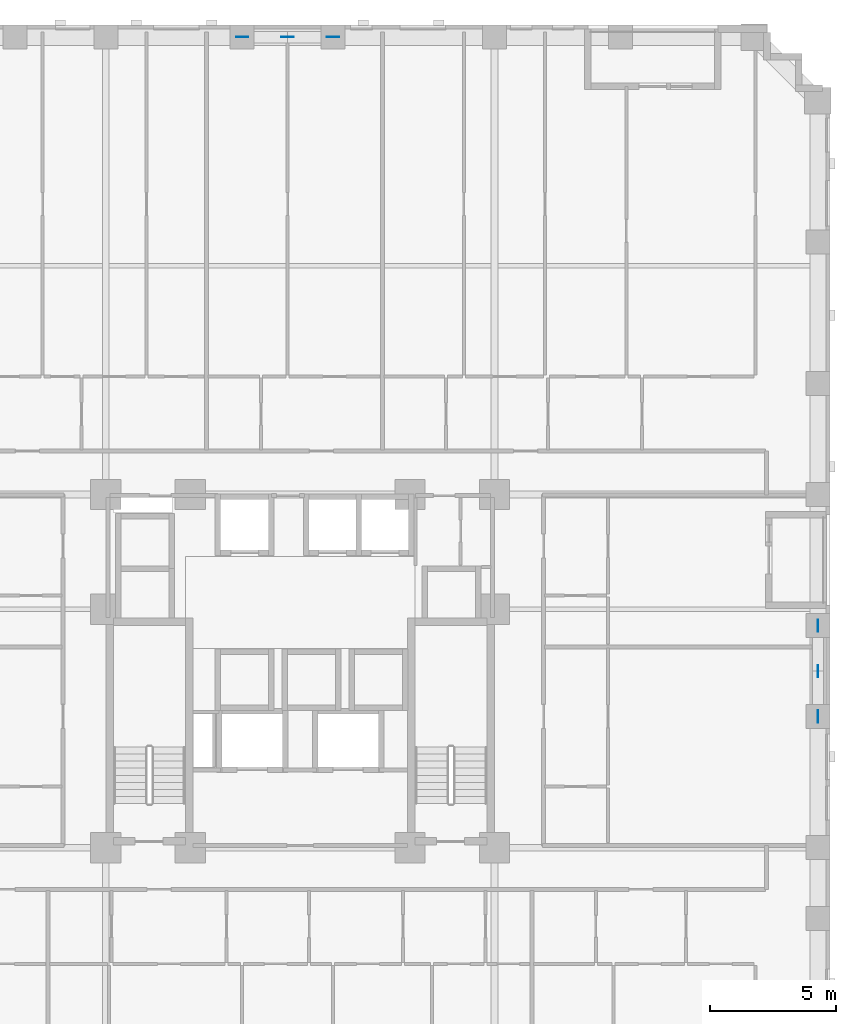
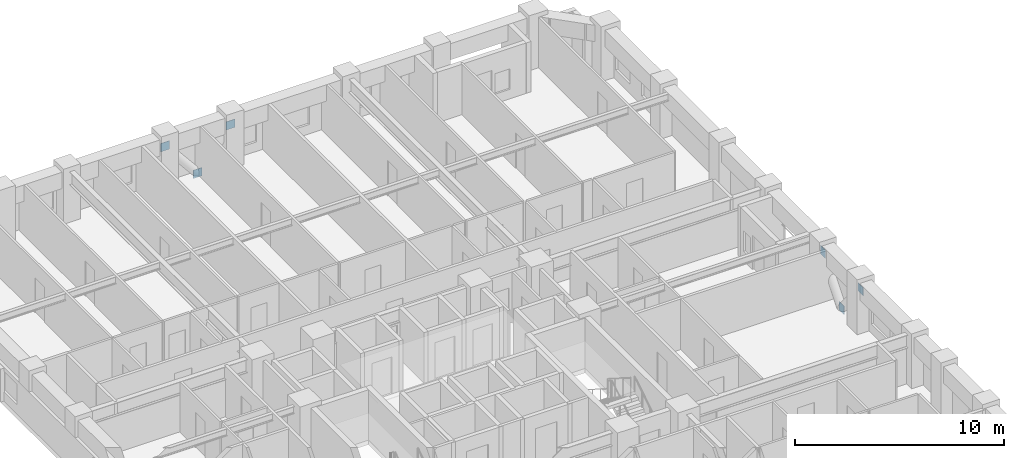
# One storey, part 10 of 13: 6 discrete accessories.
"""IFC4 building model written with IfcOpenShell, lengths in metres."""

from ifc_helpers import new_model, si_unit, derived_unit, direction, frame, origin, origin_2d, place, context, subcontext, project, spatial, rectangle, extrude, material, layer, layer_set, type_object, element, save


model = new_model("IFC4")

# Units and contexts
model_context = context("Model", 3, precision=1e-05, world=origin(), true_north=direction((0.0, 1.0)))
body_context = subcontext(model_context, "Body", "Model", "MODEL_VIEW")
ifc_project = project(units=[si_unit("LENGTHUNIT", "METRE"), si_unit("AREAUNIT", "SQUARE_METRE"), si_unit("VOLUMEUNIT", "CUBIC_METRE"), si_unit("PLANEANGLEUNIT", "RADIAN"), si_unit("MASSUNIT", "GRAM", prefix="KILO"), derived_unit("THERMALTRANSMITTANCEUNIT", [(si_unit("MASSUNIT", "GRAM", prefix="KILO"), 1), (si_unit("TIMEUNIT", "SECOND"), -3), (si_unit("THERMODYNAMICTEMPERATUREUNIT", "KELVIN"), -1)])], contexts=[model_context])

# Site, building, storey
site_placement = place(None, origin())
site = spatial("IfcSite", under=ifc_project, at=site_placement, CompositionType="ELEMENT")
building_placement = place(site_placement, origin())
building = spatial("IfcBuilding", under=site, at=building_placement, Name="Korrvale Station Residences", CompositionType="ELEMENT")
storey_placement = place(building_placement, frame((0.0, 0.0, 32.199951171875)))
storey = spatial("IfcBuildingStorey", under=building, at=storey_placement, Name="L07", CompositionType="ELEMENT", Elevation=32.199951171875)

# Discrete accessories
ifc_material = material(Name="Steel S355", Category="steel")
ifc_layer = layer(ifc_material, 0.02490234375, Name="Steel S355")
ifc_layer_set = layer_set([ifc_layer], Name="Steel S355")
discrete_accessory_type = type_object("IfcDiscreteAccessoryType", Name="ACC-GUSSET-25", PredefinedType="BRACKET", material=ifc_layer_set)
for number, where, z_axis, x_axis, name in (
    (1, (25.0, 47.1201171875, -0.219970703125), (0.0, 0.0, 1.0), (1.0, 0.0, 0.0), "L07 N Brace End Gusset Connection M"),
    (2, (23.199951171875, 47.1201171875, 1.969970703125), (0.0, 0.0, 1.0), (1.0, 0.0, 0.0), "L07 N Brace End Gusset Connection A"),
    (3, (26.800048828125, 47.1201171875, 1.969970703125), (0.0, 0.0, 1.0), (1.0, 0.0, 0.0), "L07 N Brace End Gusset Connection B"),
    (4, (46.02001953125, 22.0, -0.219970703125), (0.0, 0.0, 1.0), (0.0, 1.0, 0.0), "L07 E Brace End Gusset Connection M"),
    (5, (46.02001953125, 20.199951171875, 1.969970703125), (0.0, 0.0, 1.0), (0.0, 1.0, 0.0), "L07 E Brace End Gusset Connection A"),
    (6, (46.02001953125, 23.800048828125, 1.969970703125), (0.0, 0.0, 1.0), (0.0, 1.0, 0.0), "L07 E Brace End Gusset Connection B"),
):
    element("IfcDiscreteAccessory", number, at=place(storey_placement, frame(where, z_axis=z_axis, x_axis=x_axis)), inside=storey, type_object=discrete_accessory_type, Name=name, PredefinedType="BRACKET", context=body_context, shape_type="SweptSolid", body=[
        extrude(rectangle(XDim=0.47998046875, YDim=0.02490234375, at=origin_2d()), origin(), (0.0, 0.0, 1.0), 0.47998046875),
    ])

save(model, "model.ifc")
